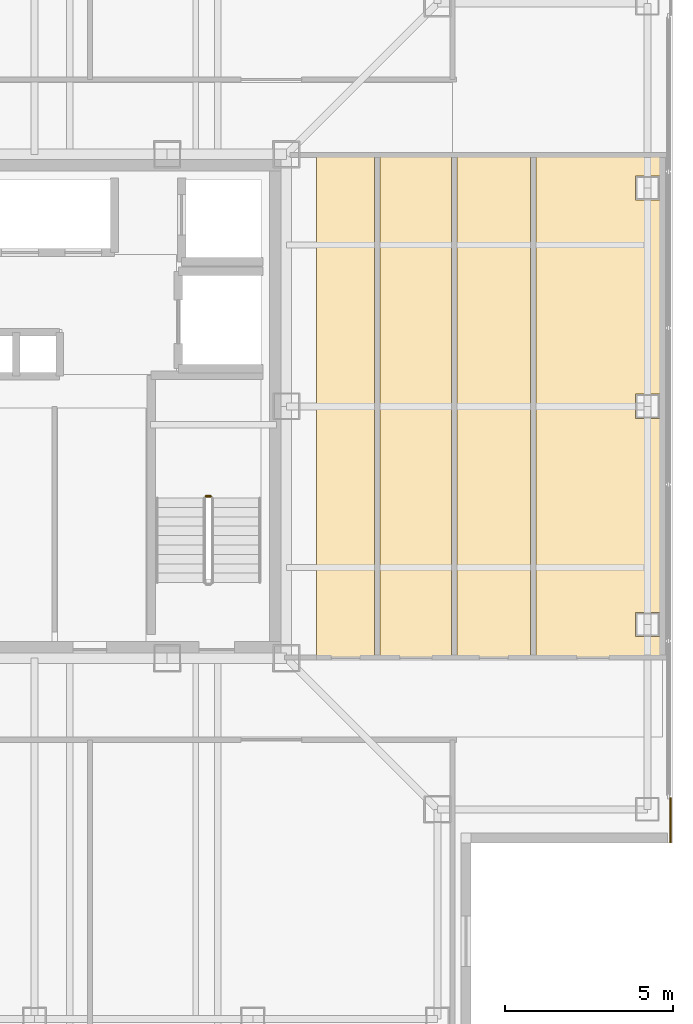
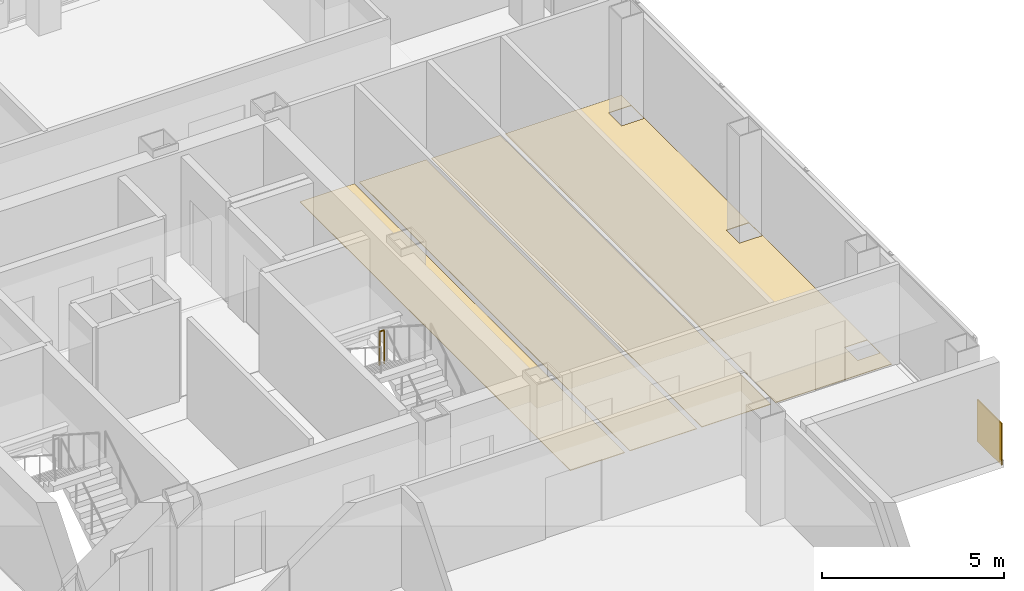
# One storey, part 14 of 15: 5 coverings, 1 railing.
"""IFC4 building model written with IfcOpenShell, lengths in metres."""

from ifc_helpers import new_model, si_unit, direction, frame, frame_2d, origin, origin_2d, place, context, subcontext, project, spatial, polyline, rectangle, circle, outline, extrude, material, layer, layer_set, type_object, element, save


model = new_model("IFC4")

# Units and contexts
model_context = context("Model", 3, precision=1e-05, world=origin(), true_north=direction((0.0, 1.0)))
body_context = subcontext(model_context, "Body", "Model", "MODEL_VIEW")
ifc_project = project(units=[si_unit("LENGTHUNIT", "METRE"), si_unit("AREAUNIT", "SQUARE_METRE"), si_unit("VOLUMEUNIT", "CUBIC_METRE"), si_unit("PLANEANGLEUNIT", "RADIAN"), si_unit("MASSUNIT", "GRAM", prefix="KILO")], contexts=[model_context])

# Site, building, storey
site_placement = place(None, origin())
site = spatial("IfcSite", under=ifc_project, at=site_placement, CompositionType="ELEMENT")
building_placement = place(site_placement, origin())
building = spatial("IfcBuilding", under=site, at=building_placement, Name="Trevonay Congress Spire", CompositionType="ELEMENT")
storey_placement = place(building_placement, frame((0.0, 0.0, 275.60009765625)))
storey = spatial("IfcBuildingStorey", under=building, at=storey_placement, Name="L72", CompositionType="ELEMENT", Elevation=275.60009765625)

# Coverings
ifc_material_1 = material(Name="Polished Granite Floor Tile", Category="masonry")
ifc_layer_1 = layer(ifc_material_1, 0.02001953125, Name="Polished Granite Floor Tile")
ifc_layer_set_1 = layer_set([ifc_layer_1], Name="Polished Granite Floor Tile")
covering_type_1 = type_object("IfcCoveringType", Name="COV-FLOOR-STONE", PredefinedType="FLOORING", material=ifc_layer_set_1)
covering_1_placement = place(storey_placement, origin())
element("IfcCovering", 1, at=covering_1_placement, inside=storey, type_object=covering_type_1, Name="L72 Female Restroom WC floor finish", PredefinedType="FLOORING", context=body_context, shape_type="SweptSolid", body=[
    extrude(outline(polyline([(8.39990234375, -7.47998046875), (10.1298828125, -7.47998046875), (10.1298828125, 7.419921875), (8.39990234375, 7.419921875), (8.39990234375, -7.47998046875)])), origin(), (0.0, 0.0, 1.0), 0.02001953125),
])
covering_2_placement = place(storey_placement, origin())
element("IfcCovering", 2, at=covering_2_placement, inside=storey, type_object=covering_type_1, Name="L72 Floor Supplies and Copy Room floor finish", PredefinedType="FLOORING", context=body_context, shape_type="SweptSolid", body=[
    extrude(outline(polyline([(10.2900390625, -7.47998046875), (12.419921875, -7.47998046875), (12.419921875, 7.419921875), (10.2900390625, 7.419921875), (10.2900390625, -7.47998046875)])), origin(), (0.0, 0.0, 1.0), 0.02001953125),
])
covering_3_placement = place(storey_placement, origin())
element("IfcCovering", 3, at=covering_3_placement, inside=storey, type_object=covering_type_1, Name="L72 Male Restroom WC floor finish", PredefinedType="FLOORING", context=body_context, shape_type="SweptSolid", body=[
    extrude(outline(polyline([(12.580078125, -7.47998046875), (14.77001953125, -7.47998046875), (14.77001953125, 7.419921875), (12.580078125, 7.419921875), (12.580078125, -7.47998046875)])), origin(), (0.0, 0.0, 1.0), 0.02001953125),
])
covering_4_placement = place(storey_placement, origin())
element("IfcCovering", 4, at=covering_4_placement, inside=storey, type_object=covering_type_1, Name="L72 Floor Supplies and Copy Room floor finish", PredefinedType="FLOORING", context=body_context, shape_type="SweptSolid", body=[
    extrude(outline(polyline([(14.929931640625, 7.419921875), (18.6201171875, 7.419921875), (18.6201171875, -7.47998046875), (14.929931640625, -7.47998046875), (14.929931640625, 7.419921875)]), holes=[polyline([(17.889892578125, -6.860107421875), (18.610107421875, -6.860107421875), (18.610107421875, -6.139892578125), (17.889892578125, -6.139892578125), (17.889892578125, -6.860107421875)]), polyline([(17.889892578125, 0.360107421875), (17.889892578125, -0.360107421875), (18.610107421875, -0.360107421875), (18.610107421875, 0.360107421875), (17.889892578125, 0.360107421875)]), polyline([(17.889892578125, 6.860107421875), (17.889892578125, 6.139892578125), (18.610107421875, 6.139892578125), (18.610107421875, 6.860107421875), (17.889892578125, 6.860107421875)])]), origin(), (0.0, 0.0, 1.0), 0.02001953125),
])
ifc_material_2 = material(Name="Pale Anodised Aluminium EN AW-6063-T6", Category="aluminium")
ifc_layer_2 = layer(ifc_material_2, 0.0400390625, Name="Pale Anodised Aluminium EN AW-6063-T6")
ifc_layer_set_2 = layer_set([ifc_layer_2], Name="Pale Anodised Aluminium EN AW-6063-T6")
covering_type_2 = type_object("IfcCoveringType", Name="COV-SPANDREL-PALE-METAL", PredefinedType="CLADDING", material=ifc_layer_set_2)
covering_5_placement = place(storey_placement, frame((18.93994140625, -11.64990234375, -0.150146484375), z_axis=(0.0, 0.0, 1.0), x_axis=(0.0, -1.0, 0.0)))
element("IfcCovering", 5, at=covering_5_placement, inside=storey, type_object=covering_type_2, Name="L72 SE corner pier spandrel cladding 1", PredefinedType="CLADDING", context=body_context, shape_type="SweptSolid", body=[
    extrude(rectangle(XDim=1.35009765625, YDim=0.0400390625, at=frame_2d((0.675048828125, 0.0))), origin(), (0.0, 0.0, 1.0), 1.400146484375),
])

# Railing
railing_type = type_object("IfcRailingType", Name="RAL-STAIR-GUARD-110", PredefinedType="GUARDRAIL", material=ifc_material_2)
railing_placement = place(storey_placement, frame((5.25, -2.679931640625, 1.7998046875)))
element("IfcRailing", 6, at=railing_placement, inside=storey, type_object=railing_type, Name="L72 ST-2 stair guard 2", PredefinedType="GUARDRAIL", context=body_context, shape_type="SweptSolid", body=[
    extrude(circle(Radius=0.02392578125, at=origin_2d()), frame((0.0, 0.0, 1.1259765625), z_axis=(-1.0, 0.0, 0.0), x_axis=(0.0, -1.0, 0.0)), (0.0, 0.0, 1.0), 0.14990234375),
    extrude(circle(Radius=0.02099609375, at=origin_2d()), origin(), (0.0, 0.0, 1.0), 1.101806640625),
    extrude(circle(Radius=0.02099609375, at=origin_2d()), frame((-0.14990234375, 0.0, 0.0)), (0.0, 0.0, 1.0), 1.101806640625),
])

save(model, "model.ifc")
